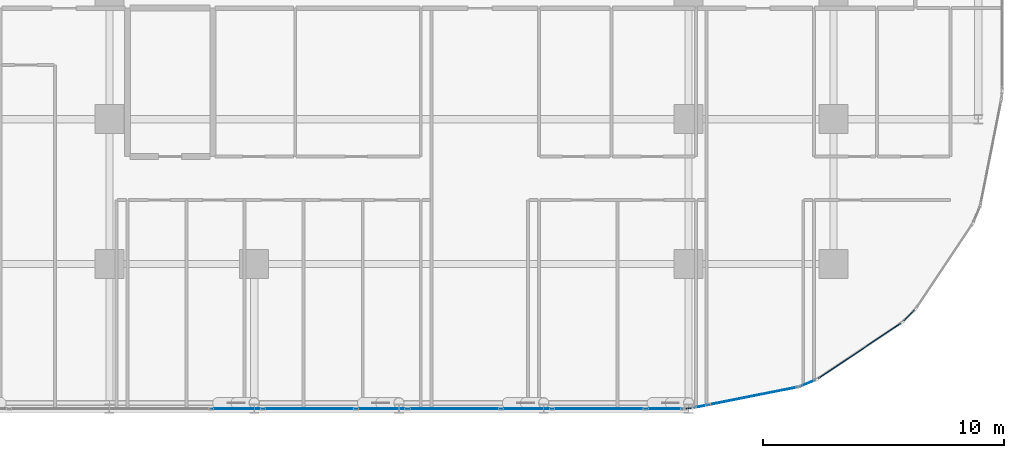
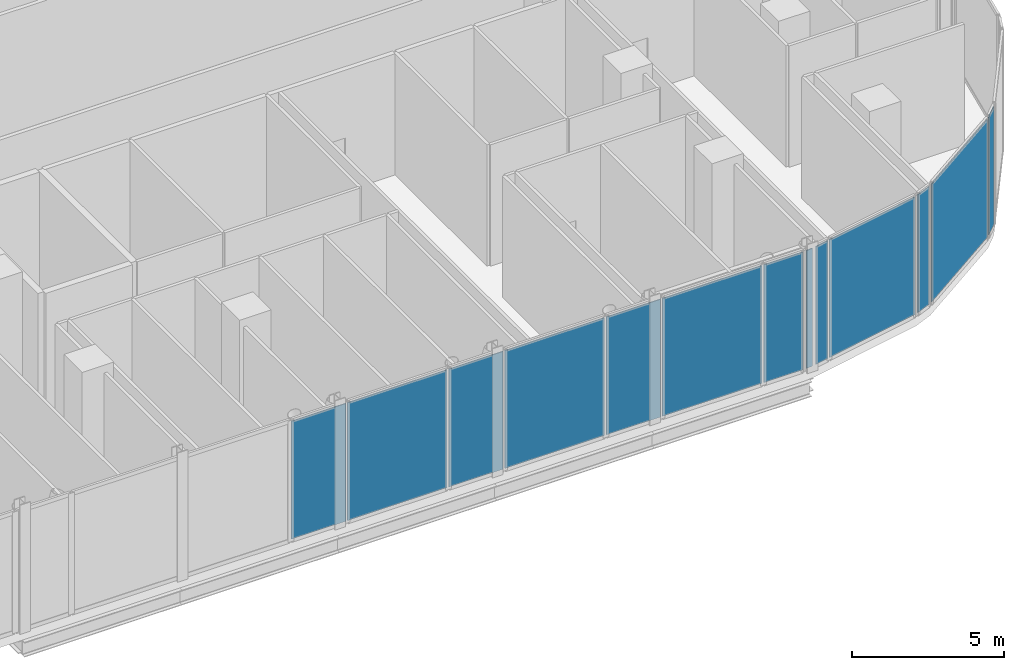
# One storey, part 23 of 36: 13 plates, 13 elements without a shape of their own.
"""IFC4 building model written with IfcOpenShell, lengths in metres."""

import ifcopenshell
import ifcopenshell.guid

model = None  # the IFC model being written
_history = None  # IfcOwnerHistory: only IFC2X3 demands one
_inside = {}  # id of a spatial element -> (the spatial element, [elements in it])
_under = {}  # id of a project, library or spatial element -> (it, [spatial elements below it])
_declared = {}  # id of a project -> (the project, [libraries it declares])
_typed = {}  # id of a type object -> (the type object, [elements of that type])
_made_of = {}  # id of a material, layer set ... -> (it, [elements and type objects made of it])


def new_model(schema):
    """Start an empty IFC model of exactly this schema.

    Asked for "IFC4X3", IfcOpenShell would pick the latest addendum, in which some entities
    have other attributes; the version numbers below select the first issue.
    IFC2X3 requires an IfcOwnerHistory on every rooted entity: one is made here for all.
    """
    global model, _history
    if schema == "IFC4X3":
        model = ifcopenshell.file(schema_version=(4, 3, 0, 0))
    else:
        model = ifcopenshell.file(schema=schema)
    _inside.clear()
    _under.clear()
    _declared.clear()
    _typed.clear()
    _made_of.clear()
    _history = None
    if model.schema == "IFC2X3":
        org = make("IfcOrganization", Name="unknown")
        user = make(
            "IfcPersonAndOrganization",
            ThePerson=make("IfcPerson", FamilyName="unknown"),
            TheOrganization=org,
        )
        app = make(
            "IfcApplication",
            ApplicationDeveloper=org,
            Version="unknown",
            ApplicationFullName="unknown",
            ApplicationIdentifier="unknown",
        )
        _history = make(
            "IfcOwnerHistory",
            OwningUser=user,
            OwningApplication=app,
            ChangeAction="ADDED",
            CreationDate=0,
        )
    return model


def make(cls, **values):
    """One entity of the class cls with the attributes given. An attribute that is None is left unset."""
    return model.create_entity(
        cls, **{name: value for name, value in values.items() if value is not None}
    )


def rooted(cls, **values):
    """An entity with a GlobalId (a new one), such as an element, a storey or a relation."""
    return make(cls, GlobalId=ifcopenshell.guid.new(), OwnerHistory=_history, **values)


def si_unit(unit_type, name, prefix=None):
    """IfcSIUnit, for example si_unit("LENGTHUNIT", "METRE", prefix="MILLI")."""
    return make("IfcSIUnit", UnitType=unit_type, Prefix=prefix, Name=name)


def assignment(units):
    """IfcUnitAssignment: the units of a project."""
    return None if units is None else make("IfcUnitAssignment", Units=units)


def point(xyz):
    """IfcCartesianPoint."""
    return None if xyz is None else make("IfcCartesianPoint", Coordinates=xyz)


def direction(xyz):
    """IfcDirection."""
    return None if xyz is None else make("IfcDirection", DirectionRatios=xyz)


def frame(location, z_axis=None, x_axis=None):
    """IfcAxis2Placement3D, a coordinate frame: its origin and axes. An axis left out is left unset."""
    return make(
        "IfcAxis2Placement3D",
        Location=point(location),
        Axis=direction(z_axis),
        RefDirection=direction(x_axis),
    )


def frame_2d(location, x_axis=None):
    """IfcAxis2Placement2D, a coordinate frame in the plane: its origin and x axis."""
    return make(
        "IfcAxis2Placement2D", Location=point(location), RefDirection=direction(x_axis)
    )


def origin():
    """The frame at (0, 0, 0) with its axes left unset."""
    return frame((0.0, 0.0, 0.0))


def origin_2d():
    """The frame at (0, 0) in the plane with its x axis left unset."""
    return frame_2d((0.0, 0.0))


def place(relative_to, where):
    """IfcLocalPlacement: puts the frame where relative to a parent placement (None: the world)."""
    return make(
        "IfcLocalPlacement", PlacementRelTo=relative_to, RelativePlacement=where
    )


def context(
    kind, dimensions, precision=None, world=None, true_north=None, identifier=None
):
    """IfcGeometricRepresentationContext, for example the 3D "Model" context."""
    return make(
        "IfcGeometricRepresentationContext",
        ContextIdentifier=identifier,
        ContextType=kind,
        CoordinateSpaceDimension=dimensions,
        Precision=precision,
        WorldCoordinateSystem=world,
        TrueNorth=true_north,
    )


def subcontext(parent, identifier, kind, view, scale=None):
    """IfcGeometricRepresentationSubContext, for example "Body" below "Model"."""
    return make(
        "IfcGeometricRepresentationSubContext",
        ContextIdentifier=identifier,
        ContextType=kind,
        ParentContext=parent,
        TargetScale=scale,
        TargetView=view,
    )


def project(units=None, contexts=None):
    """IfcProject with its units and contexts."""
    return rooted(
        "IfcProject",
        Name="project",
        RepresentationContexts=contexts,
        UnitsInContext=assignment(units),
    )


def spatial(cls, under=None, at=None, **own):
    """A site, building, storey or space (cls), placed at a placement, below another one or the project."""
    s = rooted(cls, ObjectPlacement=at, **own)
    if under is not None:
        _under.setdefault(under.id(), (under, []))[1].append(s)
    return s


def profile(cls, at=None, kind="AREA", **sizes):
    """A parametric profile (cls). Its sizes go by their IFC names, for example OverallWidth=200.0."""
    return make(cls, ProfileType=kind, Position=at, **sizes)


def rectangle(**sizes):
    """IfcRectangleProfileDef."""
    return profile("IfcRectangleProfileDef", **sizes)


def extrude(swept, where, along, depth):
    """IfcExtrudedAreaSolid: the profile swept, set in the frame where, extruded along a direction by depth."""
    return make(
        "IfcExtrudedAreaSolid",
        SweptArea=swept,
        Position=where,
        ExtrudedDirection=direction(along),
        Depth=depth,
    )


def shape(context_of_items, identifier, shape_type, items):
    """IfcShapeRepresentation: the items that make up one representation, for example the "Body"."""
    return make(
        "IfcShapeRepresentation",
        ContextOfItems=context_of_items,
        RepresentationIdentifier=identifier,
        RepresentationType=shape_type,
        Items=items,
    )


def material(Name=None, Category=None):
    """IfcMaterial."""
    return make("IfcMaterial", Name=Name, Category=Category)


def layer(
    of_material, thickness, ventilated=None, Name=None, Category=None, Priority=None
):
    """IfcMaterialLayer: one layer of a wall or slab, of a material (None: an air gap)."""
    return make(
        "IfcMaterialLayer",
        Material=of_material,
        LayerThickness=thickness,
        IsVentilated=ventilated,
        Name=Name,
        Category=Category,
        Priority=Priority,
    )


def layer_set(layers, Name=None):
    """IfcMaterialLayerSet."""
    return make("IfcMaterialLayerSet", MaterialLayers=layers, LayerSetName=Name)


def made_of(thing, what):
    """Note that an element or type object is made of a material, layer set ...; save() writes the relation."""
    if what is not None:
        _made_of.setdefault(what.id(), (what, []))[1].append(thing)
    return thing


def type_object(cls, material=None, **own):
    """A type object (cls), such as IfcWallType, which elements share."""
    return made_of(rooted(cls, **own), material)


def element(
    cls,
    number,
    at=None,
    inside=None,
    cuts=None,
    type_object=None,
    material=None,
    context=None,
    identifier="Body",
    shape_type=None,
    held_by="IfcProductDefinitionShape",
    body=None,
    shapes=None,
    **own,
):
    """One element of the class cls, such as IfcWall. Its Tag is "e" and its number.

    at: its placement. inside: the storey or other place that contains it. cuts: it is an
    opening in that element (IfcRelVoidsElement). A single representation is given by context,
    identifier, shape_type and body (its items); several are given by shapes. held_by: the class
    of the entity that holds the representations. save() writes the other relations.
    """
    e = rooted(cls, Tag="e%d" % number, ObjectPlacement=at, **own)
    if body is not None:
        shapes = [shape(context, identifier, shape_type, body)]
    if shapes is not None:
        e.Representation = make(held_by, Representations=shapes)
    if inside is not None:
        _inside.setdefault(inside.id(), (inside, []))[1].append(e)
    if cuts is not None:
        rooted(
            "IfcRelVoidsElement", RelatingBuildingElement=cuts, RelatedOpeningElement=e
        )
    if type_object is not None:
        _typed.setdefault(type_object.id(), (type_object, []))[1].append(e)
    return made_of(e, material)


def aggregate(whole, parts):
    """IfcRelAggregates: a whole, such as a stair, and the parts it consists of."""
    return rooted("IfcRelAggregates", RelatingObject=whole, RelatedObjects=parts)


def save(model, path):
    """Write the relations noted so far, then the file.

    IfcRelAggregates (storeys below a building ...), IfcRelContainedInSpatialStructure (elements
    in a storey), IfcRelDefinesByType, IfcRelAssociatesMaterial and IfcRelDeclares: one each for
    every whole, place, type object, material and project.
    """
    for whole, parts in _under.values():
        aggregate(whole, parts)
    for where, things in _inside.values():
        rooted(
            "IfcRelContainedInSpatialStructure",
            RelatedElements=things,
            RelatingStructure=where,
        )
    for kind, things in _typed.values():
        rooted("IfcRelDefinesByType", RelatedObjects=things, RelatingType=kind)
    for what, things in _made_of.values():
        rooted("IfcRelAssociatesMaterial", RelatedObjects=things, RelatingMaterial=what)
    for by, libraries in _declared.values():
        rooted("IfcRelDeclares", RelatingContext=by, RelatedDefinitions=libraries)
    model.write(path)


model = new_model("IFC4")

# Units and contexts
model_context = context("Model", 3, precision=1e-05, world=origin(), true_north=direction((0.0, 1.0)))
body_context = subcontext(model_context, "Body", "Model", "MODEL_VIEW")
ifc_project = project(units=[si_unit("LENGTHUNIT", "METRE"), si_unit("AREAUNIT", "SQUARE_METRE"), si_unit("VOLUMEUNIT", "CUBIC_METRE"), si_unit("PLANEANGLEUNIT", "RADIAN"), si_unit("MASSUNIT", "GRAM", prefix="KILO")], contexts=[model_context])

# Site, building, storey
site_placement = place(None, origin())
site = spatial("IfcSite", under=ifc_project, at=site_placement, CompositionType="ELEMENT")
building_placement = place(site_placement, origin())
building = spatial("IfcBuilding", under=site, at=building_placement, Name="Keshet Zoharim Tower", CompositionType="ELEMENT")
storey_placement = place(building_placement, frame((0.0, 0.0, 81.199951171875)))
storey = spatial("IfcBuildingStorey", under=building, at=storey_placement, Name="L19", CompositionType="ELEMENT", Elevation=81.199951171875)

# Curtain wall, plate
ifc_material_1 = material(Name="Aluminium 6063-T6", Category="aluminium")
ifc_layer_1 = layer(ifc_material_1, 0.179931640625)
ifc_layer_set_1 = layer_set([ifc_layer_1], Name="Aluminium 6063-T6")
curtain_wall_type = type_object("IfcCurtainWallType", Name="CW-SYS-01", PredefinedType="NOTDEFINED", material=ifc_layer_set_1)
curtain_wall_1_placement = place(storey_placement, origin())
curtain_wall_1 = element("IfcCurtainWall", 1, at=curtain_wall_1_placement, inside=storey, type_object=curtain_wall_type, Name="L19 Unitised Curtain Wall 21", PredefinedType="NOTDEFINED")
ifc_material_2 = material(Name="Insulated Low-E Clear Glass", Category="glass")
ifc_layer_2 = layer(ifc_material_2, 0.035888671875)
ifc_layer_set_2 = layer_set([ifc_layer_2], Name="Insulated Low-E Clear Glass")
plate_type_1 = type_object("IfcPlateType", Name="CWP-01", PredefinedType="CURTAIN_PANEL", material=ifc_layer_set_2)
plate_1_placement = place(storey_placement, frame((66.137451171875, 4.5625, 0.070068359375), z_axis=(0.0, 0.0, 1.0), x_axis=(-0.707106781187, -0.707106781187, 0.0)))
plate_1 = element("IfcPlate", 2, at=plate_1_placement, type_object=plate_type_1, Name="CW-01 panel 1.1", PredefinedType="CURTAIN_PANEL", context=body_context, shape_type="SweptSolid", body=[
    extrude(rectangle(XDim=0.63916015625, YDim=0.035888671875, at=origin_2d()), origin(), (0.0, 0.0, 1.0), 4.7451171875),
])
aggregate(curtain_wall_1, [plate_1])

curtain_wall_2_placement = place(storey_placement, origin())
curtain_wall_2 = element("IfcCurtainWall", 3, at=curtain_wall_2_placement, inside=storey, type_object=curtain_wall_type, Name="L19 Unitised Curtain Wall 22", PredefinedType="NOTDEFINED")
plate_2_placement = place(storey_placement, frame((64.083984375, 3.09912109375, 0.070068359375), z_axis=(0.0, 0.0, 1.0), x_axis=(-0.831474282335, -0.555563243758, 0.0)))
plate_2 = element("IfcPlate", 4, at=plate_2_placement, type_object=plate_type_1, Name="CW-01 panel 1.1", PredefinedType="CURTAIN_PANEL", context=body_context, shape_type="SweptSolid", body=[
    extrude(rectangle(XDim=4.13671875, YDim=0.035888671875, at=origin_2d()), origin(), (0.0, 0.0, 1.0), 4.7451171875),
])
aggregate(curtain_wall_2, [plate_2])

curtain_wall_3_placement = place(storey_placement, origin())
curtain_wall_3 = element("IfcCurtainWall", 5, at=curtain_wall_3_placement, inside=storey, type_object=curtain_wall_type, Name="L19 Unitised Curtain Wall 23", PredefinedType="NOTDEFINED")
plate_3_placement = place(storey_placement, frame((61.945556640625, 1.761474609375, 0.070068359375), z_axis=(0.0, 0.0, 1.0), x_axis=(-0.923720000557, -0.383068349739, 0.0)))
plate_3 = element("IfcPlate", 6, at=plate_3_placement, type_object=plate_type_1, Name="CW-01 panel 1.1", PredefinedType="CURTAIN_PANEL", context=body_context, shape_type="SweptSolid", body=[
    extrude(rectangle(XDim=0.640625, YDim=0.035888671875, at=origin_2d()), origin(), (0.0, 0.0, 1.0), 4.7451171875),
])
aggregate(curtain_wall_3, [plate_3])

curtain_wall_4_placement = place(storey_placement, origin())
curtain_wall_4 = element("IfcCurtainWall", 7, at=curtain_wall_4_placement, inside=storey, type_object=curtain_wall_type, Name="L19 Unitised Curtain Wall 24", PredefinedType="NOTDEFINED")
plate_4_placement = place(storey_placement, frame((59.683349609375, 1.233642578125, 0.070068359375), z_axis=(0.0, 0.0, 1.0), x_axis=(-0.980768658849, -0.195173865617, 0.0)))
plate_4 = element("IfcPlate", 8, at=plate_4_placement, type_object=plate_type_1, Name="CW-01 panel 1.1", PredefinedType="CURTAIN_PANEL", context=body_context, shape_type="SweptSolid", body=[
    extrude(rectangle(XDim=3.738037109375, YDim=0.035888671875, at=origin_2d()), origin(), (0.0, 0.0, 1.0), 4.7451171875),
])
aggregate(curtain_wall_4, [plate_4])

curtain_wall_5_placement = place(storey_placement, origin())
curtain_wall_5 = element("IfcCurtainWall", 9, at=curtain_wall_5_placement, inside=storey, type_object=curtain_wall_type, Name="L19 Unitised Curtain Wall 26 Part 2", PredefinedType="NOTDEFINED")
plate_5_placement = place(storey_placement, frame((53.284912109375, 0.699951171875, 0.070068359375), z_axis=(0.0, 0.0, 1.0), x_axis=(-1.0, 0.0, 0.0)))
plate_5 = element("IfcPlate", 10, at=plate_5_placement, type_object=plate_type_1, Name="CW-01 panel 1.1", PredefinedType="CURTAIN_PANEL", context=body_context, shape_type="SweptSolid", body=[
    extrude(rectangle(XDim=3.793212890625, YDim=0.035888671875, at=origin_2d()), origin(), (0.0, 0.0, 1.0), 4.7451171875),
])
aggregate(curtain_wall_5, [plate_5])

curtain_wall_6_placement = place(storey_placement, origin())
curtain_wall_6 = element("IfcCurtainWall", 11, at=curtain_wall_6_placement, inside=storey, type_object=curtain_wall_type, Name="L19 Unitised Curtain Wall 26 Part 4", PredefinedType="NOTDEFINED")
plate_6_placement = place(storey_placement, frame((47.284912109375, 0.699951171875, 0.070068359375), z_axis=(0.0, 0.0, 1.0), x_axis=(-1.0, 0.0, 0.0)))
plate_6 = element("IfcPlate", 12, at=plate_6_placement, type_object=plate_type_1, Name="CW-01 panel 1.1", PredefinedType="CURTAIN_PANEL", context=body_context, shape_type="SweptSolid", body=[
    extrude(rectangle(XDim=3.793212890625, YDim=0.035888671875, at=origin_2d()), origin(), (0.0, 0.0, 1.0), 4.7451171875),
])
aggregate(curtain_wall_6, [plate_6])

curtain_wall_7_placement = place(storey_placement, origin())
curtain_wall_7 = element("IfcCurtainWall", 13, at=curtain_wall_7_placement, inside=storey, type_object=curtain_wall_type, Name="L19 Unitised Curtain Wall 26 Part 6", PredefinedType="NOTDEFINED")
plate_7_placement = place(storey_placement, frame((41.284912109375, 0.699951171875, 0.070068359375), z_axis=(0.0, 0.0, 1.0), x_axis=(-1.0, 0.0, 0.0)))
plate_7 = element("IfcPlate", 14, at=plate_7_placement, type_object=plate_type_1, Name="CW-01 panel 1.1", PredefinedType="CURTAIN_PANEL", context=body_context, shape_type="SweptSolid", body=[
    extrude(rectangle(XDim=3.793212890625, YDim=0.035888671875, at=origin_2d()), origin(), (0.0, 0.0, 1.0), 4.7451171875),
])
aggregate(curtain_wall_7, [plate_7])

curtain_wall_8_placement = place(storey_placement, origin())
curtain_wall_8 = element("IfcCurtainWall", 15, at=curtain_wall_8_placement, inside=storey, type_object=curtain_wall_type, Name="L19 Unitised Curtain Wall 24 Part 2", PredefinedType="NOTDEFINED")
ifc_material_3 = material(Name="Insulated Aluminium Spandrel Panel", Category="aluminium")
ifc_layer_3 = layer(ifc_material_3, 0.035888671875)
ifc_layer_set_3 = layer_set([ifc_layer_3], Name="Insulated Aluminium Spandrel Panel")
plate_type_2 = type_object("IfcPlateType", Name="CWP-04", PredefinedType="CURTAIN_PANEL", material=ifc_layer_set_3)
plate_8_placement = place(storey_placement, frame((57.521484375, 0.803466796875, 0.070068359375), z_axis=(0.0, 0.0, 1.0), x_axis=(-0.980772500083, -0.195154562031, 0.0)))
plate_8 = element("IfcPlate", 16, at=plate_8_placement, type_object=plate_type_2, Name="CW-01 spandrel panel 1.1", PredefinedType="CURTAIN_PANEL", context=body_context, shape_type="SweptSolid", body=[
    extrude(rectangle(XDim=0.530029296875, YDim=0.035888671875, at=origin_2d()), origin(), (0.0, 0.0, 1.0), 4.7451171875),
])
aggregate(curtain_wall_8, [plate_8])

curtain_wall_9_placement = place(storey_placement, origin())
curtain_wall_9 = element("IfcCurtainWall", 17, at=curtain_wall_9_placement, inside=storey, type_object=curtain_wall_type, Name="L19 Unitised Curtain Wall 25", PredefinedType="NOTDEFINED")
plate_9_placement = place(storey_placement, frame((56.998046875, 0.718994140625, 0.070068359375), z_axis=(0.0, 0.0, 1.0), x_axis=(-0.995286657009, -0.096976648633, 0.0)))
plate_9 = element("IfcPlate", 18, at=plate_9_placement, type_object=plate_type_2, Name="CW-01 spandrel panel 1.1", PredefinedType="CURTAIN_PANEL", context=body_context, shape_type="SweptSolid", body=[
    extrude(rectangle(XDim=0.251953125, YDim=0.035888671875, at=origin_2d()), origin(), (0.0, 0.0, 1.0), 4.7451171875),
])
aggregate(curtain_wall_9, [plate_9])

curtain_wall_10_placement = place(storey_placement, origin())
curtain_wall_10 = element("IfcCurtainWall", 19, at=curtain_wall_10_placement, inside=storey, type_object=curtain_wall_type, Name="L19 Unitised Curtain Wall 26", PredefinedType="NOTDEFINED")
plate_10_placement = place(storey_placement, frame((55.9921875, 0.699951171875, 0.070068359375), z_axis=(0.0, 0.0, 1.0), x_axis=(-1.0, 0.0, 0.0)))
plate_10 = element("IfcPlate", 20, at=plate_10_placement, type_object=plate_type_2, Name="CW-01 spandrel panel 1.1", PredefinedType="CURTAIN_PANEL", context=body_context, shape_type="SweptSolid", body=[
    extrude(rectangle(XDim=1.4814453125, YDim=0.035888671875, at=origin_2d()), origin(), (0.0, 0.0, 1.0), 4.7451171875),
])
aggregate(curtain_wall_10, [plate_10])

curtain_wall_11_placement = place(storey_placement, origin())
curtain_wall_11 = element("IfcCurtainWall", 21, at=curtain_wall_11_placement, inside=storey, type_object=curtain_wall_type, Name="L19 Unitised Curtain Wall 26 Part 3", PredefinedType="NOTDEFINED")
plate_11_placement = place(storey_placement, frame((50.284912109375, 0.699951171875, 0.070068359375), z_axis=(0.0, 0.0, 1.0), x_axis=(-1.0, 0.0, 0.0)))
plate_11 = element("IfcPlate", 22, at=plate_11_placement, type_object=plate_type_2, Name="CW-01 spandrel panel 1.1", PredefinedType="CURTAIN_PANEL", context=body_context, shape_type="SweptSolid", body=[
    extrude(rectangle(XDim=2.06689453125, YDim=0.035888671875, at=origin_2d()), origin(), (0.0, 0.0, 1.0), 4.7451171875),
])
aggregate(curtain_wall_11, [plate_11])

curtain_wall_12_placement = place(storey_placement, origin())
curtain_wall_12 = element("IfcCurtainWall", 23, at=curtain_wall_12_placement, inside=storey, type_object=curtain_wall_type, Name="L19 Unitised Curtain Wall 26 Part 5", PredefinedType="NOTDEFINED")
plate_12_placement = place(storey_placement, frame((44.284912109375, 0.699951171875, 0.070068359375), z_axis=(0.0, 0.0, 1.0), x_axis=(-1.0, 0.0, 0.0)))
plate_12 = element("IfcPlate", 24, at=plate_12_placement, type_object=plate_type_2, Name="CW-01 spandrel panel 1.1", PredefinedType="CURTAIN_PANEL", context=body_context, shape_type="SweptSolid", body=[
    extrude(rectangle(XDim=2.06689453125, YDim=0.035888671875, at=origin_2d()), origin(), (0.0, 0.0, 1.0), 4.7451171875),
])
aggregate(curtain_wall_12, [plate_12])

curtain_wall_13_placement = place(storey_placement, origin())
curtain_wall_13 = element("IfcCurtainWall", 25, at=curtain_wall_13_placement, inside=storey, type_object=curtain_wall_type, Name="L19 Unitised Curtain Wall 26 Part 7", PredefinedType="NOTDEFINED")
plate_13_placement = place(storey_placement, frame((38.284912109375, 0.699951171875, 0.070068359375), z_axis=(0.0, 0.0, 1.0), x_axis=(-1.0, 0.0, 0.0)))
plate_13 = element("IfcPlate", 26, at=plate_13_placement, type_object=plate_type_2, Name="CW-01 spandrel panel 1.1", PredefinedType="CURTAIN_PANEL", context=body_context, shape_type="SweptSolid", body=[
    extrude(rectangle(XDim=2.06689453125, YDim=0.035888671875, at=origin_2d()), origin(), (0.0, 0.0, 1.0), 4.7451171875),
])
aggregate(curtain_wall_13, [plate_13])

save(model, "model.ifc")
